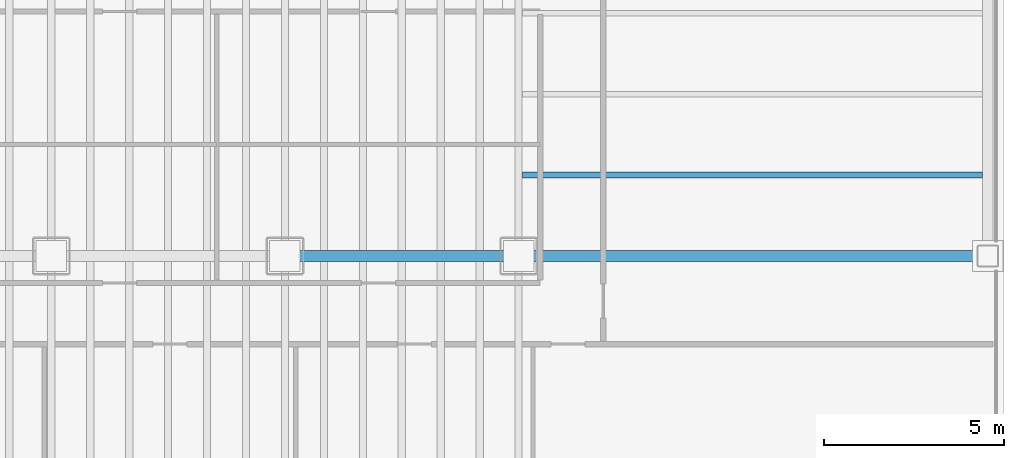
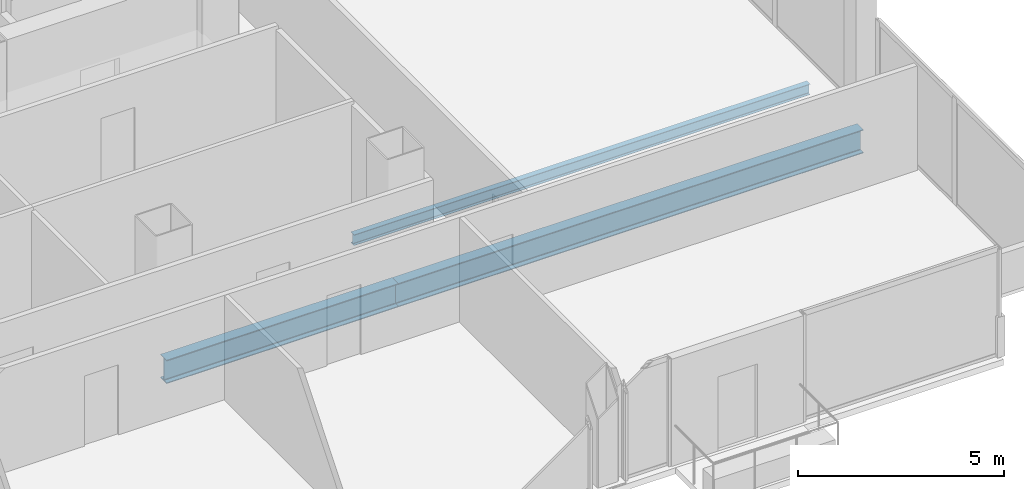
# One storey, part 10 of 22: 3 beams.
"""IFC4 building model written with IfcOpenShell, lengths in metres."""

from ifc_helpers import new_model, si_unit, direction, frame, origin, origin_2d, place, context, subcontext, project, spatial, i_section, extrude, material, material_profile, profile_set, type_object, element, save


model = new_model("IFC4")

# Units and contexts
model_context = context("Model", 3, precision=1e-05, world=origin(), true_north=direction((0.0, 1.0)))
body_context = subcontext(model_context, "Body", "Model", "MODEL_VIEW")
ifc_project = project(units=[si_unit("LENGTHUNIT", "METRE"), si_unit("AREAUNIT", "SQUARE_METRE"), si_unit("VOLUMEUNIT", "CUBIC_METRE"), si_unit("PLANEANGLEUNIT", "RADIAN"), si_unit("MASSUNIT", "GRAM", prefix="KILO")], contexts=[model_context])

# Site, building, storey
site_placement = place(None, origin())
site = spatial("IfcSite", under=ifc_project, at=site_placement, CompositionType="ELEMENT")
building_placement = place(site_placement, origin())
building = spatial("IfcBuilding", under=site, at=building_placement, Name="Noeulbin Bourse Tower", CompositionType="ELEMENT")
storey_placement = place(building_placement, frame((0.0, 0.0, 88.89990234375)))
storey = spatial("IfcBuildingStorey", under=building, at=storey_placement, Name="L22", CompositionType="ELEMENT", Elevation=88.89990234375)

# Beams
ifc_material = material(Name="Steel S355", Category="steel")
ifc_material_profile_1 = material_profile(ifc_material, i_section(OverallWidth=0.300048828125, OverallDepth=0.699951171875, WebThickness=0.012939453125, FlangeThickness=0.02392578125, FilletRadius=0.02392578125, at=origin_2d()), Name="H-700x300x13x24", Category="LoadBearing")
ifc_profile_set_1 = profile_set([ifc_material_profile_1], Name="Steel S355")
beam_type_1 = type_object("IfcBeamType", Name="BM-GRD-700", PredefinedType="USERDEFINED", material=ifc_profile_set_1)
beam_1_placement = place(storey_placement, frame((37.5, 20.0, -0.52978515625), z_axis=(1.0, 0.0, 0.0), x_axis=(0.0, 1.0, 0.0)))
element("IfcBeam", 1, at=beam_1_placement, inside=storey, type_object=beam_type_1, Name="Tower Primary Girder EW L22-1.5", ObjectType="GIRDER", PredefinedType="USERDEFINED", context=body_context, shape_type="SweptSolid", body=[
    extrude(i_section(OverallWidth=0.300048828125, OverallDepth=0.699951171875, WebThickness=0.012939453125, FlangeThickness=0.02392578125, FilletRadius=0.02392578125, at=origin_2d()), origin(), (0.0, 0.0, 1.0), 6.5),
])
beam_2_placement = place(storey_placement, frame((44.0, 20.0, -0.52978515625), z_axis=(1.0, 0.0, 0.0), x_axis=(0.0, 1.0, 0.0)))
element("IfcBeam", 2, at=beam_2_placement, inside=storey, type_object=beam_type_1, Name="Tower Primary Girder EW L22-1.6", ObjectType="GIRDER", PredefinedType="USERDEFINED", context=body_context, shape_type="SweptSolid", body=[
    extrude(i_section(OverallWidth=0.300048828125, OverallDepth=0.699951171875, WebThickness=0.012939453125, FlangeThickness=0.02392578125, FilletRadius=0.02392578125, at=origin_2d()), origin(), (0.0, 0.0, 1.0), 13.050048828125),
])
ifc_material_profile_2 = material_profile(ifc_material, i_section(OverallWidth=0.159912109375, OverallDepth=0.320068359375, WebThickness=0.006591796875, FlangeThickness=0.010009765625, FilletRadius=0.012939453125, at=origin_2d()), Name="H-320x160x6.5x10", Category="LoadBearing")
ifc_profile_set_2 = profile_set([ifc_material_profile_2], Name="Steel S355")
beam_type_2 = type_object("IfcBeamType", Name="BM-JST-320", PredefinedType="JOIST", material=ifc_profile_set_2)
beam_3_placement = place(storey_placement, frame((44.10009765625, 22.25, -0.33984375), z_axis=(1.0, 0.0, 0.0), x_axis=(0.0, 1.0, 0.0)))
element("IfcBeam", 3, at=beam_3_placement, inside=storey, type_object=beam_type_2, Name="Wing Composite Joist L22-E76", PredefinedType="JOIST", context=body_context, shape_type="SweptSolid", body=[
    extrude(i_section(OverallWidth=0.159912109375, OverallDepth=0.320068359375, WebThickness=0.006591796875, FlangeThickness=0.010009765625, FilletRadius=0.012939453125, at=origin_2d()), origin(), (0.0, 0.0, 1.0), 12.7998046875),
])

save(model, "model.ifc")
